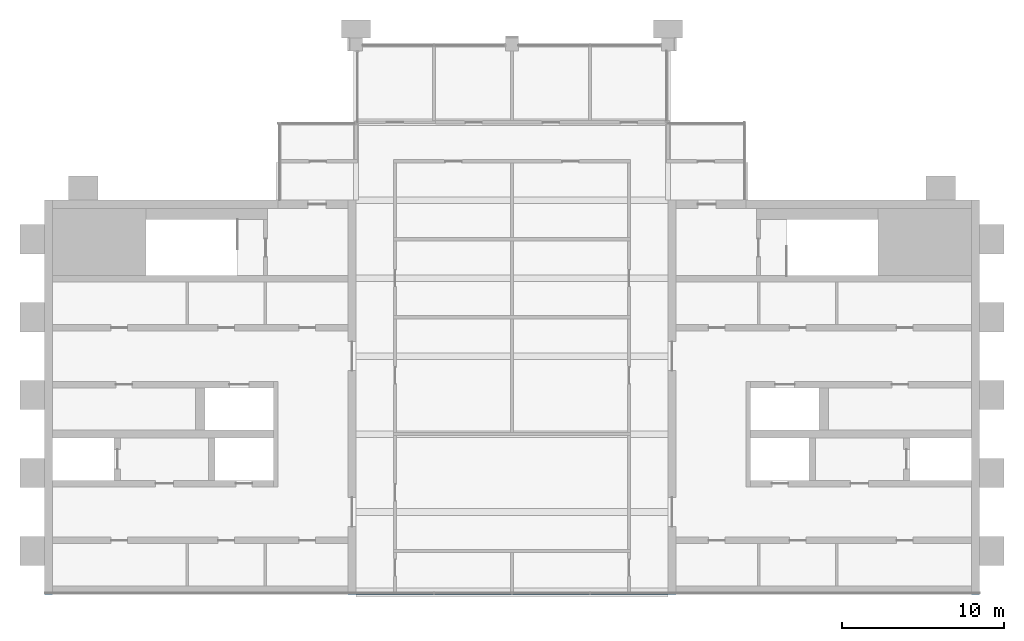
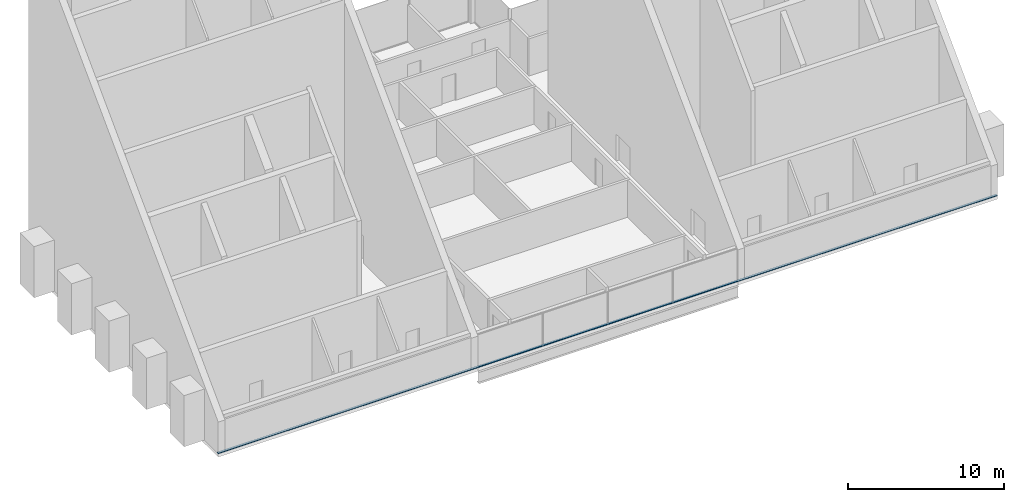
# One storey, part 3 of 12: 1 member, 1 element without a shape of its own.
"""IFC4 building model written with IfcOpenShell, lengths in metres."""

from ifc_helpers import new_model, si_unit, direction, frame, origin, origin_2d, place, context, subcontext, project, spatial, rectangle, extrude, material, material_profile, profile_set, type_object, element, aggregate, save


model = new_model("IFC4")

# Units and contexts
model_context = context("Model", 3, precision=1e-05, world=origin(), true_north=direction((0.0, 1.0)))
body_context = subcontext(model_context, "Body", "Model", "MODEL_VIEW")
ifc_project = project(units=[si_unit("LENGTHUNIT", "METRE"), si_unit("AREAUNIT", "SQUARE_METRE"), si_unit("VOLUMEUNIT", "CUBIC_METRE"), si_unit("PLANEANGLEUNIT", "RADIAN"), si_unit("MASSUNIT", "GRAM", prefix="KILO")], contexts=[model_context])

# Site, building, storey
site_placement = place(None, origin())
site = spatial("IfcSite", under=ifc_project, at=site_placement, CompositionType="ELEMENT")
building_placement = place(site_placement, origin())
building = spatial("IfcBuilding", under=site, at=building_placement, Name="Baori Bourse Tower", CompositionType="ELEMENT")
storey_placement = place(building_placement, frame((0.0, 0.0, 374.300048828125)))
storey = spatial("IfcBuildingStorey", under=building, at=storey_placement, Name="L84", CompositionType="ELEMENT", Elevation=374.300048828125)

# Curtain wall, member
ifc_material_1 = material(Name="Pale anodised aluminium", Category="aluminium")
curtain_wall_type = type_object("IfcCurtainWallType", Name="CW3 Curtain wall", PredefinedType="NOTDEFINED", material=ifc_material_1)
curtain_wall_placement = place(storey_placement, origin())
curtain_wall = element("IfcCurtainWall", 1, at=curtain_wall_placement, inside=storey, type_object=curtain_wall_type, Name="Curtain wall CW3 L84 1", PredefinedType="NOTDEFINED")
ifc_material_2 = material(Name="Pale anodised aluminium", Category="aluminium")
ifc_material_profile = material_profile(ifc_material_2, rectangle(XDim=0.159912109375, YDim=0.06005859375, at=origin_2d()), Name="Transom 60x160")
ifc_profile_set = profile_set([ifc_material_profile], Name="Pale anodised aluminium")
member_type = type_object("IfcMemberType", Name="CW3 Curtain wall transom", PredefinedType="USERDEFINED", material=ifc_profile_set)
member_placement = place(storey_placement, frame((0.0, 14.203369140625, 0.030029296875), z_axis=(1.0, 0.0, 0.0), x_axis=(0.0, 1.0, 0.0)))
member = element("IfcMember", 2, at=member_placement, type_object=member_type, Name="Curtain wall CW3 sill rail", ObjectType="TRANSOM", PredefinedType="USERDEFINED", context=body_context, shape_type="SweptSolid", body=[
    extrude(rectangle(XDim=0.159912109375, YDim=0.06005859375, at=origin_2d()), origin(), (0.0, 0.0, 1.0), 57.60009765625),
])
aggregate(curtain_wall, [member])

save(model, "model.ifc")
